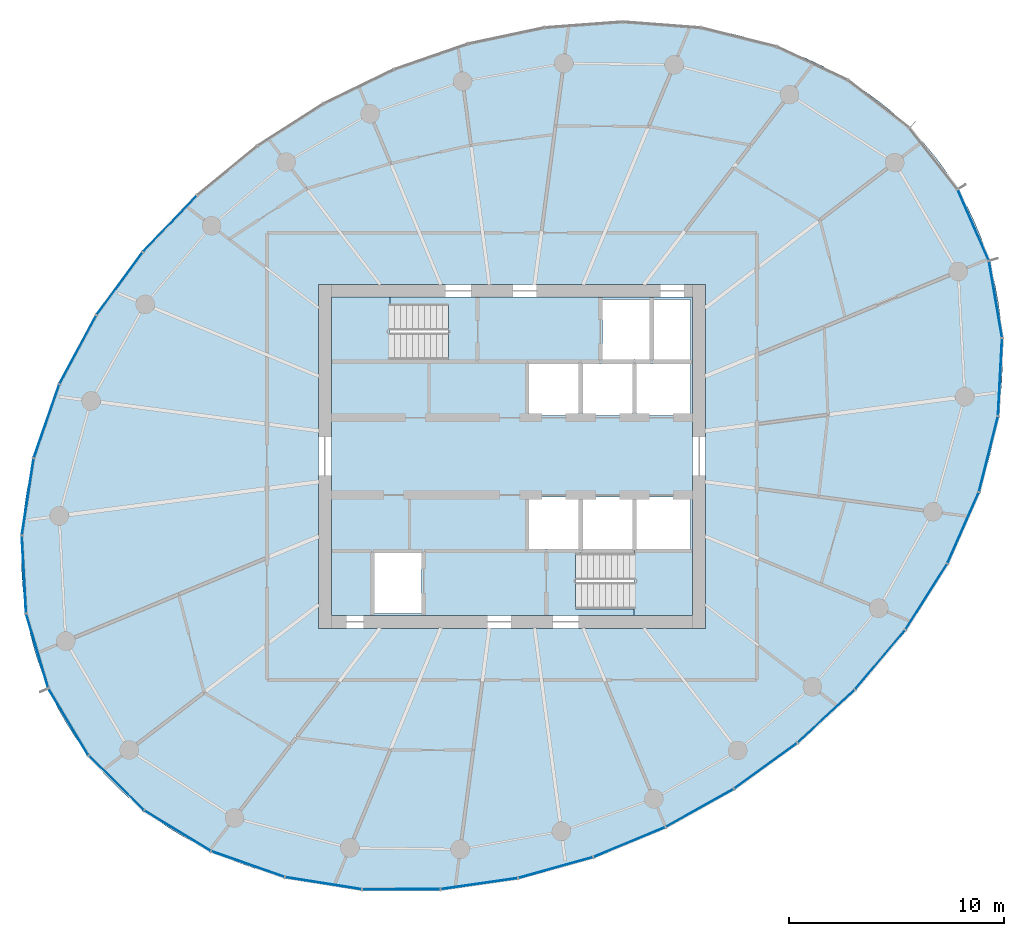
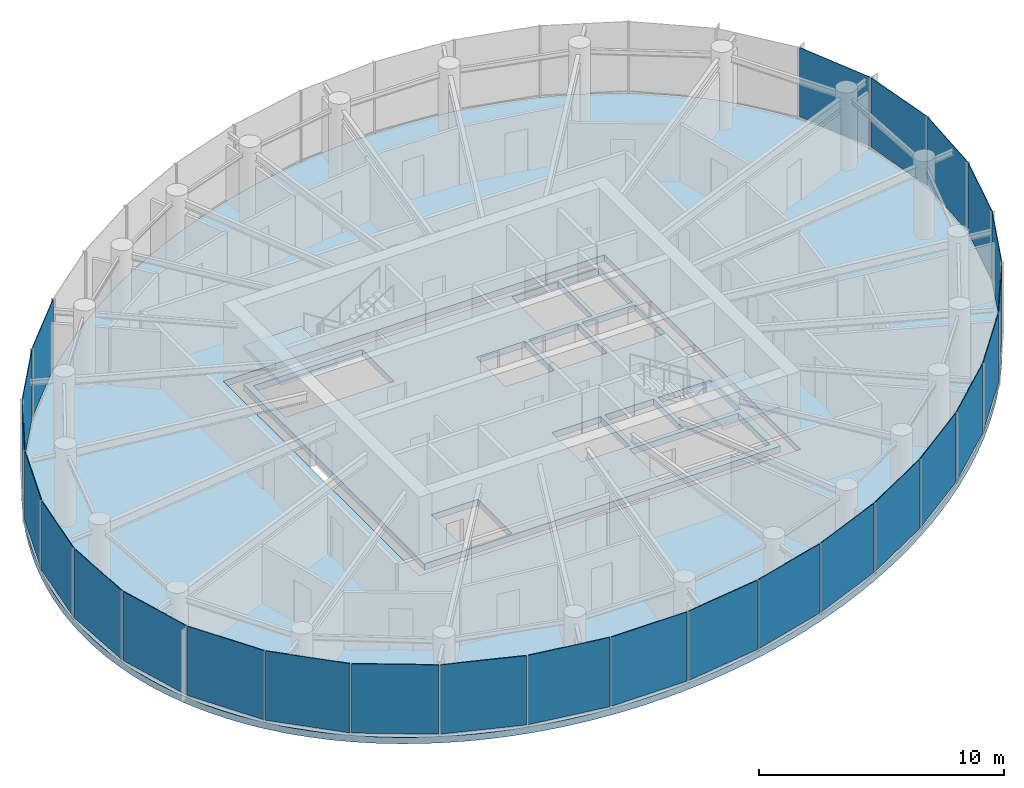
# One storey, part 8 of 14: 26 plates, 4 slabs, 7 elements without a shape of their own.
"""IFC4 building model written with IfcOpenShell, lengths in metres."""

from ifc_helpers import new_model, si_unit, direction, frame, origin, origin_2d, place, context, subcontext, project, spatial, line, indexed_curve, rectangle, outline, extrude, source, transform, mapped, material, layer, layer_set, type_object, element, aggregate, save


model = new_model("IFC4")

# Units and contexts
model_context = context("Model", 3, precision=1e-05, world=origin(), true_north=direction((0.0, 1.0)))
body_context = subcontext(model_context, "Body", "Model", "MODEL_VIEW")
ifc_project = project(units=[si_unit("LENGTHUNIT", "METRE"), si_unit("AREAUNIT", "SQUARE_METRE"), si_unit("VOLUMEUNIT", "CUBIC_METRE"), si_unit("PLANEANGLEUNIT", "RADIAN"), si_unit("MASSUNIT", "GRAM", prefix="KILO")], contexts=[model_context])

# Site, building, storey
site_placement = place(None, origin())
site = spatial("IfcSite", under=ifc_project, at=site_placement, CompositionType="ELEMENT")
building_placement = place(site_placement, origin())
building = spatial("IfcBuilding", under=site, at=building_placement, Name="Spindrift Exchange Tower", CompositionType="ELEMENT")
storey_placement = place(building_placement, frame((0.0, 0.0, 203.300048828125)))
storey = spatial("IfcBuildingStorey", under=building, at=storey_placement, Name="L49", CompositionType="ELEMENT", Elevation=203.300048828125)

# Slabs
ifc_material_1 = material(Name="Concrete 40 MPa", Category="concrete")
ifc_layer_1 = layer(ifc_material_1, 0.320068359375)
ifc_layer_set_1 = layer_set([ifc_layer_1], Name="RC Floor Slab 320 Concrete 40 MPa")
slab_type_1 = type_object("IfcSlabType", Name="RC Floor Slab 320 Concrete 40 MPa", PredefinedType="FLOOR", material=ifc_layer_set_1)
slab_1_placement = place(storey_placement, frame((0.0, 0.0, -0.320068359375)))
element("IfcSlab", 1, at=slab_1_placement, inside=storey, type_object=slab_type_1, Name="Floor slab L49", PredefinedType="FLOOR", context=body_context, shape_type="SweptSolid", body=[
    extrude(outline(indexed_curve([(72.726318359375, 60.415771484375), (72.32470703125, 61.048095703125), (71.890380859375, 61.658447265625), (71.66162109375, 61.955078125), (71.18115234375, 62.52978515625), (70.93017578125, 62.807861328125), (70.406982421875, 63.34423828125), (69.857666015625, 63.853515625), (69.573486328125, 64.097900390625), (68.98828125, 64.565185546875), (68.380859375, 65.00390625), (68.069580078125, 65.21240234375), (67.433349609375, 65.607666015625), (66.779541015625, 65.9736328125), (66.447021484375, 66.145751953125), (65.7705078125, 66.468017578125), (65.081298828125, 66.76171875), (64.732421875, 66.897705078125), (64.0263671875, 67.148193359375), (63.31103515625, 67.37109375), (62.587646484375, 67.566162109375), (62.223388671875, 67.653564453125), (61.857666015625, 67.734375), (61.121826171875, 67.8759765625), (60.752197265625, 67.93701171875), (60.01025390625, 68.0400390625), (59.637939453125, 68.08203125), (58.8916015625, 68.147705078125), (58.517822265625, 68.17138671875), (57.769287109375, 68.20068359375), (57.39453125, 68.20654296875), (56.6455078125, 68.201171875), (56.27099609375, 68.18994140625), (55.522705078125, 68.15087890625), (54.776123046875, 68.08984375), (54.403564453125, 68.051513671875), (54.031494140625, 68.0078125), (53.289306640625, 67.904541015625), (52.91943359375, 67.845458984375), (52.18212890625, 67.712158203125), (51.083740234375, 67.47509765625), (49.995361328125, 67.195556640625), (48.91845703125, 66.8740234375), (47.8544921875, 66.51220703125), (46.8046875, 66.111083984375), (45.7705078125, 65.671875), (44.752685546875, 65.1953125), (43.752685546875, 64.682373046875), (43.0966796875, 64.320556640625), (42.449462890625, 63.943359375), (41.495849609375, 63.3486328125), (40.872314453125, 62.933349609375), (40.2587890625, 62.50341796875), (39.3583984375, 61.830810546875), (38.48291015625, 61.126220703125), (37.634033203125, 60.389892578125), (36.81298828125, 59.62255859375), (36.021484375, 58.82470703125), (35.261474609375, 57.997314453125), (34.5341796875, 57.140380859375), (34.299560546875, 56.848388671875), (33.842041015625, 56.255126953125), (33.401123046875, 55.6494140625), (33.18701171875, 55.342041015625), (32.977294921875, 55.03173828125), (32.5712890625, 54.402099609375), (32.18359375, 53.760986328125), (31.9970703125, 53.43603515625), (31.8154296875, 53.1083984375), (31.46728515625, 52.445068359375), (31.30078125, 52.109375), (30.984375, 51.430419921875), (30.83447265625, 51.087158203125), (30.551513671875, 50.393310546875), (30.2919921875, 49.6904296875), (30.171630859375, 49.335693359375), (29.949462890625, 48.620361328125), (29.847900390625, 48.259765625), (29.753173828125, 47.897216796875), (29.583984375, 47.16748046875), (29.44287109375, 46.431640625), (29.330810546875, 45.69091796875), (29.285888671875, 45.319091796875), (29.219482421875, 44.57275390625), (29.1845703125, 43.824462890625), (29.17919921875, 43.449951171875), (29.193603515625, 42.700927734375), (29.24169921875, 41.953369140625), (29.27880859375, 41.58056640625), (29.37890625, 40.838134765625), (29.514892578125, 40.101318359375), (29.59619140625, 39.735595703125), (29.785888671875, 39.010986328125), (29.89453125, 38.65234375), (30.138671875, 37.944091796875), (30.418701171875, 37.24951171875), (30.734619140625, 36.570068359375), (30.90576171875, 36.23681640625), (31.273681640625, 35.584228515625), (31.67529296875, 34.951904296875), (32.109619140625, 34.341552734375), (32.33837890625, 34.044921875), (32.81884765625, 33.47021484375), (33.06982421875, 33.192138671875), (33.593017578125, 32.65576171875), (34.142333984375, 32.146484375), (34.426513671875, 31.902099609375), (35.01171875, 31.434814453125), (35.619140625, 30.99609375), (35.930419921875, 30.78759765625), (36.566650390625, 30.392333984375), (37.220458984375, 30.0263671875), (37.552978515625, 29.854248046875), (38.2294921875, 29.531982421875), (38.918701171875, 29.23828125), (39.267578125, 29.102294921875), (39.9736328125, 28.851806640625), (40.68896484375, 28.62890625), (41.412353515625, 28.433837890625), (41.776611328125, 28.346435546875), (42.142333984375, 28.265625), (42.878173828125, 28.1240234375), (43.247802734375, 28.06298828125), (43.98974609375, 27.9599609375), (44.362060546875, 27.91796875), (45.1083984375, 27.852294921875), (45.482177734375, 27.82861328125), (46.230712890625, 27.79931640625), (46.60546875, 27.79345703125), (47.3544921875, 27.798828125), (47.72900390625, 27.81005859375), (48.477294921875, 27.84912109375), (49.223876953125, 27.91015625), (49.596435546875, 27.948486328125), (49.968505859375, 27.9921875), (50.710693359375, 28.095458984375), (51.08056640625, 28.154541015625), (51.81787109375, 28.287841796875), (52.916259765625, 28.52490234375), (54.004638671875, 28.804443359375), (55.08154296875, 29.1259765625), (56.1455078125, 29.48779296875), (57.1953125, 29.888916015625), (58.2294921875, 30.328125), (59.247314453125, 30.8046875), (60.247314453125, 31.317626953125), (60.9033203125, 31.679443359375), (61.550537109375, 32.056640625), (62.504150390625, 32.6513671875), (63.127685546875, 33.066650390625), (63.7412109375, 33.49658203125), (64.6416015625, 34.169189453125), (65.51708984375, 34.873779296875), (66.365966796875, 35.610107421875), (67.18701171875, 36.37744140625), (67.978515625, 37.17529296875), (68.738525390625, 38.002685546875), (69.4658203125, 38.859619140625), (69.700439453125, 39.151611328125), (70.157958984375, 39.744873046875), (70.598876953125, 40.3505859375), (70.81298828125, 40.657958984375), (71.022705078125, 40.96826171875), (71.4287109375, 41.597900390625), (71.81640625, 42.239013671875), (72.0029296875, 42.56396484375), (72.1845703125, 42.8916015625), (72.53271484375, 43.554931640625), (72.69921875, 43.890625), (73.015625, 44.569580078125), (73.16552734375, 44.912841796875), (73.448486328125, 45.606689453125), (73.7080078125, 46.3095703125), (73.828369140625, 46.664306640625), (74.050537109375, 47.379638671875), (74.152099609375, 47.740234375), (74.246826171875, 48.102783203125), (74.416015625, 48.83251953125), (74.55712890625, 49.568359375), (74.669189453125, 50.30908203125), (74.714111328125, 50.680908203125), (74.780517578125, 51.42724609375), (74.8154296875, 52.175537109375), (74.82080078125, 52.550048828125), (74.806396484375, 53.299072265625), (74.75830078125, 54.046630859375), (74.72119140625, 54.41943359375), (74.62109375, 55.161865234375), (74.485107421875, 55.898681640625), (74.40380859375, 56.264404296875), (74.214111328125, 56.989013671875), (74.10546875, 57.34765625), (73.861328125, 58.055908203125), (73.581298828125, 58.75048828125), (73.265380859375, 59.429931640625), (73.09423828125, 59.76318359375)], segments=[line(1, 2, 3, 4, 5, 6, 7, 8, 9, 10, 11, 12, 13, 14, 15, 16, 17, 18, 19, 20, 21, 22, 23, 24, 25, 26, 27, 28, 29, 30, 31, 32, 33, 34, 35, 36, 37, 38, 39, 40, 41, 42, 43, 44, 45, 46, 47, 48, 49, 50, 51, 52, 53, 54, 55, 56, 57, 58, 59, 60, 61, 62, 63, 64, 65, 66, 67, 68, 69, 70, 71, 72, 73, 74, 75, 76, 77, 78, 79, 80, 81, 82, 83, 84, 85, 86, 87, 88, 89, 90, 91, 92, 93, 94, 95, 96, 97, 98, 99, 100, 101, 102, 103, 104, 105, 106, 107, 108, 109, 110, 111, 112, 113, 114, 115, 116, 117, 118, 119, 120, 121, 122, 123, 124, 125, 126, 127, 128, 129, 130, 131, 132, 133, 134, 135, 136, 137, 138, 139, 140, 141, 142, 143, 144, 145, 146, 147, 148, 149, 150, 151, 152, 153, 154, 155, 156, 157, 158, 159, 160, 161, 162, 163, 164, 165, 166, 167, 168, 169, 170, 171, 172, 173, 174, 175, 176, 177, 178, 179, 180, 181, 182, 183, 184, 185, 186, 187, 188, 189, 190, 191, 192, 193, 194, 195, 196, 1)], self_intersect=False), holes=[indexed_curve([(43.0, 40.0), (61.0, 40.0), (61.0, 56.0), (43.0, 56.0)], segments=[line(1, 2, 3, 4, 1)], self_intersect=False)]), origin(), (0.0, 0.0, 1.0), 0.320068359375),
])
ifc_material_2 = material(Name="Concrete 50 MPa", Category="concrete")
ifc_layer_2 = layer(ifc_material_2, 0.320068359375)
ifc_layer_set_2 = layer_set([ifc_layer_2], Name="SL-CORE-FLOOR-320")
slab_type_2 = type_object("IfcSlabType", Name="SL-CORE-FLOOR-320", PredefinedType="FLOOR", material=ifc_layer_set_2)
slab_2_placement = place(storey_placement, frame((0.0, 0.0, -0.320068359375)))
element("IfcSlab", 2, at=slab_2_placement, inside=storey, type_object=slab_type_2, Name="L49 Core floor slab", PredefinedType="FLOOR", context=body_context, shape_type="SweptSolid", body=[
    extrude(outline(indexed_curve([(43.60009765625, 40.60009765625), (43.60009765625, 55.39990234375), (60.39990234375, 55.39990234375), (60.39990234375, 40.60009765625)], segments=[line(1, 2, 3, 4, 1)], self_intersect=False), holes=[indexed_curve([(45.60009765625, 43.5), (45.60009765625, 40.699951171875), (47.800048828125, 40.699951171875), (47.800048828125, 43.5)], segments=[line(1, 2, 3, 4, 1)], self_intersect=False), indexed_curve([(52.800048828125, 46.10009765625), (52.800048828125, 43.699951171875), (55.10009765625, 43.699951171875), (55.10009765625, 46.10009765625)], segments=[line(1, 2, 3, 4, 1)], self_intersect=False), indexed_curve([(55.300048828125, 46.10009765625), (55.300048828125, 43.699951171875), (57.60009765625, 43.699951171875), (57.60009765625, 46.10009765625)], segments=[line(1, 2, 3, 4, 1)], self_intersect=False), indexed_curve([(55.10009765625, 52.300048828125), (52.800048828125, 52.300048828125), (52.800048828125, 49.89990234375), (55.10009765625, 49.89990234375)], segments=[line(1, 2, 3, 4, 1)], self_intersect=False), indexed_curve([(57.60009765625, 52.300048828125), (55.300048828125, 52.300048828125), (55.300048828125, 49.89990234375), (57.60009765625, 49.89990234375)], segments=[line(1, 2, 3, 4, 1)], self_intersect=False), indexed_curve([(43.906005859375, 52.506103515625), (49.0439453125, 52.506103515625), (49.0439453125, 55.093994140625), (43.906005859375, 55.093994140625)], segments=[line(1, 2, 3, 4, 1)], self_intersect=False), indexed_curve([(60.093994140625, 40.906005859375), (60.093994140625, 43.493896484375), (54.9560546875, 43.493896484375), (54.9560546875, 40.906005859375)], segments=[line(1, 2, 3, 4, 1)], self_intersect=False), indexed_curve([(60.300048828125, 46.10009765625), (57.800048828125, 46.10009765625), (57.800048828125, 43.699951171875), (60.300048828125, 43.699951171875)], segments=[line(1, 2, 3, 4, 1)], self_intersect=False), indexed_curve([(57.800048828125, 52.300048828125), (57.800048828125, 49.89990234375), (60.300048828125, 49.89990234375), (60.300048828125, 52.300048828125)], segments=[line(1, 2, 3, 4, 1)], self_intersect=False), indexed_curve([(58.39990234375, 55.300048828125), (56.199951171875, 55.300048828125), (56.199951171875, 52.5), (58.39990234375, 52.5)], segments=[line(1, 2, 3, 4, 1)], self_intersect=False), indexed_curve([(60.300048828125, 55.300048828125), (58.60009765625, 55.300048828125), (58.60009765625, 52.5), (60.300048828125, 52.5)], segments=[line(1, 2, 3, 4, 1)], self_intersect=False)]), origin(), (0.0, 0.0, 1.0), 0.320068359375),
])

# Stair, slab
stair_type = type_object("IfcStairType", Name="ST-1250-R177", PredefinedType="HALF_TURN_STAIR", material=ifc_material_2)
stair_1_placement = place(storey_placement, origin())
stair_1 = element("IfcStair", 3, at=stair_1_placement, inside=storey, type_object=stair_type, Name="L49 Exit stair ST1", PredefinedType="HALF_TURN_STAIR")
ifc_layer_3 = layer(ifc_material_2, 0.199951171875)
ifc_layer_set_3 = layer_set([ifc_layer_3], Name="SL-LANDING")
slab_type_3 = type_object("IfcSlabType", Name="SL-LANDING", PredefinedType="LANDING", material=ifc_layer_set_3)
slab_3_placement = place(storey_placement, frame((0.0, 0.0, 1.75)))
slab_3 = element("IfcSlab", 4, at=slab_3_placement, type_object=slab_type_3, Name="ST1 landing 1", PredefinedType="LANDING", context=body_context, shape_type="SweptSolid", body=[
    extrude(outline(indexed_curve([(46.330078125, 52.39990234375), (43.60009765625, 52.39990234375), (43.60009765625, 55.39990234375), (46.330078125, 55.39990234375)], segments=[line(1, 2, 3, 4, 1)], self_intersect=False)), origin(), (0.0, 0.0, 1.0), 0.199951171875),
])
aggregate(stair_1, [slab_3])

stair_2_placement = place(storey_placement, origin())
stair_2 = element("IfcStair", 5, at=stair_2_placement, inside=storey, type_object=stair_type, Name="L49 Exit stair ST2", PredefinedType="HALF_TURN_STAIR")
slab_4_placement = place(storey_placement, frame((0.0, 0.0, 1.75)))
slab_4 = element("IfcSlab", 6, at=slab_4_placement, type_object=slab_type_3, Name="ST2 landing 1", PredefinedType="LANDING", context=body_context, shape_type="SweptSolid", body=[
    extrude(outline(indexed_curve([(57.669921875, 43.60009765625), (60.39990234375, 43.60009765625), (60.39990234375, 40.60009765625), (57.669921875, 40.60009765625)], segments=[line(1, 2, 3, 4, 1)], self_intersect=False)), origin(), (0.0, 0.0, 1.0), 0.199951171875),
])
aggregate(stair_2, [slab_4])

# Curtain wall, plate
ifc_material_3 = material(Name="Fritted laminated glass with bronze frame", Category="glass")
ifc_layer_4 = layer(ifc_material_3, 0.169921875)
ifc_layer_set_4 = layer_set([ifc_layer_4], Name="ZONE 4 BRONZE FRITTED WALL")
curtain_wall_type = type_object("IfcCurtainWallType", Name="ZONE 4 BRONZE FRITTED WALL", PredefinedType="NOTDEFINED", material=ifc_layer_set_4)
curtain_wall_1_placement = place(storey_placement, origin())
curtain_wall_1 = element("IfcCurtainWall", 7, at=curtain_wall_1_placement, inside=storey, type_object=curtain_wall_type, Name="L49 Zone 4 Bronze Fritted Wall run 2", PredefinedType="NOTDEFINED")
ifc_material_4 = material(Name="Bronze fritted laminated glass, open frit", Category="glass")
ifc_layer_5 = layer(ifc_material_4, 0.030029296875)
ifc_layer_set_5 = layer_set([ifc_layer_5], Name="ZONE 4 BRONZE FRITTED WALL PANEL OPEN FRIT 600")
plate_type_1 = type_object("IfcPlateType", Name="ZONE 4 BRONZE FRITTED WALL PANEL OPEN FRIT 600", PredefinedType="CURTAIN_PANEL", material=ifc_layer_set_5)
shared_shape_1 = source(origin(), body_context, "Body", "SweptSolid", [
    extrude(rectangle(XDim=3.577392578125, YDim=0.030029296875, at=origin_2d()), origin(), (0.0, 0.0, 1.0), 3.455078125),
])
plate_1_placement = place(storey_placement, frame((36.090576171875, 58.814697265625, 0.125), z_axis=(0.0, 0.0, 1.0), x_axis=(-0.691369315119, -0.722501536408, 0.0)))
plate_1 = element("IfcPlate", 8, at=plate_1_placement, type_object=plate_type_1, Name="L49 panel CW-4.12", PredefinedType="CURTAIN_PANEL", context=body_context, shape_type="MappedRepresentation", body=[
    mapped(shared_shape_1, transform((0.0, 0.0, 0.0), scale=1.0)),
])
aggregate(curtain_wall_1, [plate_1])

curtain_wall_2_placement = place(storey_placement, origin())
curtain_wall_2 = element("IfcCurtainWall", 9, at=curtain_wall_2_placement, inside=storey, type_object=curtain_wall_type, Name="L49 Zone 4 Bronze Fritted Wall run 6", PredefinedType="NOTDEFINED")
plate_2_placement = place(storey_placement, frame((69.12353515625, 38.538818359375, 0.125), z_axis=(0.0, 0.0, 1.0), x_axis=(0.644197053977, 0.764859565965, 0.0)))
plate_2 = element("IfcPlate", 10, at=plate_2_placement, type_object=plate_type_1, Name="L49 panel CW-4.31", PredefinedType="CURTAIN_PANEL", context=body_context, shape_type="MappedRepresentation", body=[
    mapped(shared_shape_1, transform((0.0, 0.0, 0.0), scale=1.0)),
])

# Curtain wall, plates
curtain_wall_3_placement = place(storey_placement, origin())
curtain_wall_3 = element("IfcCurtainWall", 11, at=curtain_wall_3_placement, inside=storey, type_object=curtain_wall_type, Name="L49 Zone 4 Bronze Fritted Wall run 5", PredefinedType="NOTDEFINED")
ifc_layer_6 = layer(ifc_material_4, 0.030029296875)
ifc_layer_set_6 = layer_set([ifc_layer_6], Name="ZONE 4 BRONZE FRITTED WALL PANEL OPEN FRIT 480")
plate_type_2 = type_object("IfcPlateType", Name="ZONE 4 BRONZE FRITTED WALL PANEL OPEN FRIT 480", PredefinedType="CURTAIN_PANEL", material=ifc_layer_set_6)
shared_shape_2 = source(origin(), body_context, "Body", "SweptSolid", [
    extrude(rectangle(XDim=3.577880859375, YDim=0.030029296875, at=origin_2d()), origin(), (0.0, 0.0, 1.0), 3.455078125),
])
plate_3_placement = place(storey_placement, frame((60.736083984375, 31.64599609375, 0.125), z_axis=(0.0, 0.0, 1.0), x_axis=(0.872428627189, 0.488741537483, 0.0)))
plate_3 = element("IfcPlate", 12, at=plate_3_placement, type_object=plate_type_2, Name="L49 panel CW-4.28", PredefinedType="CURTAIN_PANEL", context=body_context, shape_type="MappedRepresentation", body=[
    mapped(shared_shape_2, transform((0.0, 0.0, 0.0), scale=1.0)),
])
ifc_layer_7 = layer(ifc_material_4, 0.030029296875)
ifc_layer_set_7 = layer_set([ifc_layer_7], Name="ZONE 4 BRONZE FRITTED WALL PANEL OPEN FRIT 360")
plate_type_3 = type_object("IfcPlateType", Name="ZONE 4 BRONZE FRITTED WALL PANEL OPEN FRIT 360", PredefinedType="CURTAIN_PANEL", material=ifc_layer_set_7)
shared_shape_3 = source(origin(), body_context, "Body", "SweptSolid", [
    extrude(rectangle(XDim=3.5771484375, YDim=0.030029296875, at=origin_2d()), origin(), (0.0, 0.0, 1.0), 3.455078125),
])
plate_4_placement = place(storey_placement, frame((50.4716796875, 28.121826171875, 0.125), z_axis=(0.0, 0.0, 1.0), x_axis=(0.989834895474, 0.142221235061, 0.0)))
plate_4 = element("IfcPlate", 13, at=plate_4_placement, type_object=plate_type_3, Name="L49 panel CW-4.25", PredefinedType="CURTAIN_PANEL", context=body_context, shape_type="MappedRepresentation", body=[
    mapped(shared_shape_3, transform((0.0, 0.0, 0.0), scale=1.0)),
])

# Curtain wall, plate
curtain_wall_4_placement = place(storey_placement, origin())
curtain_wall_4 = element("IfcCurtainWall", 14, at=curtain_wall_4_placement, inside=storey, type_object=curtain_wall_type, Name="L49 Zone 4 Bronze Fritted Wall run 3", PredefinedType="NOTDEFINED")
shared_shape_4 = source(origin(), body_context, "Body", "SweptSolid", [
    extrude(rectangle(XDim=3.57568359375, YDim=0.030029296875, at=origin_2d()), origin(), (0.0, 0.0, 1.0), 3.455078125),
])
plate_5_placement = place(storey_placement, frame((30.354736328125, 49.63671875, 0.125), z_axis=(0.0, 0.0, 1.0), x_axis=(-0.327806616594, -0.94474484498, 0.0)))
plate_5 = element("IfcPlate", 15, at=plate_5_placement, type_object=plate_type_2, Name="L49 panel CW-4.15", PredefinedType="CURTAIN_PANEL", context=body_context, shape_type="MappedRepresentation", body=[
    mapped(shared_shape_4, transform((0.0, 0.0, 0.0), scale=1.0)),
])

# Curtain wall, plates
curtain_wall_5_placement = place(storey_placement, origin())
curtain_wall_5 = element("IfcCurtainWall", 16, at=curtain_wall_5_placement, inside=storey, type_object=curtain_wall_type, Name="L49 Zone 4 Bronze Fritted Wall run 4", PredefinedType="NOTDEFINED")
shared_shape_5 = source(origin(), body_context, "Body", "SweptSolid", [
    extrude(rectangle(XDim=3.572509765625, YDim=0.030029296875, at=origin_2d()), origin(), (0.0, 0.0, 1.0), 3.455078125),
])
plate_6_placement = place(storey_placement, frame((36.4453125, 30.582275390625, 0.125), z_axis=(0.0, 0.0, 1.0), x_axis=(0.854465177192, -0.519508672657, 0.0)))
plate_6 = element("IfcPlate", 17, at=plate_6_placement, type_object=plate_type_1, Name="L49 panel CW-4.21", PredefinedType="CURTAIN_PANEL", context=body_context, shape_type="MappedRepresentation", body=[
    mapped(shared_shape_5, transform((0.0, 0.0, 0.0), scale=1.0)),
])
shared_shape_6 = source(origin(), body_context, "Body", "SweptSolid", [
    extrude(rectangle(XDim=3.57080078125, YDim=0.030029296875, at=origin_2d()), origin(), (0.0, 0.0, 1.0), 3.455078125),
])
plate_7_placement = place(storey_placement, frame((33.59912109375, 32.805908203125, 0.125), z_axis=(0.0, 0.0, 1.0), x_axis=(0.710797018558, -0.703397183964, 0.0)))
plate_7 = element("IfcPlate", 18, at=plate_7_placement, type_object=plate_type_1, Name="L49 panel CW-4.20", PredefinedType="CURTAIN_PANEL", context=body_context, shape_type="MappedRepresentation", body=[
    mapped(shared_shape_6, transform((0.0, 0.0, 0.0), scale=1.0)),
])
shared_shape_7 = source(origin(), body_context, "Body", "SweptSolid", [
    extrude(rectangle(XDim=3.570068359375, YDim=0.030029296875, at=origin_2d()), origin(), (0.0, 0.0, 1.0), 3.455078125),
])
plate_8_placement = place(storey_placement, frame((31.373046875, 35.643798828125, 0.125), z_axis=(0.0, 0.0, 1.0), x_axis=(0.513881168257, -0.85786137861, 0.0)))
plate_8 = element("IfcPlate", 19, at=plate_8_placement, type_object=plate_type_1, Name="L49 panel CW-4.19", PredefinedType="CURTAIN_PANEL", context=body_context, shape_type="MappedRepresentation", body=[
    mapped(shared_shape_7, transform((0.0, 0.0, 0.0), scale=1.0)),
])
shared_shape_8 = source(origin(), body_context, "Body", "SweptSolid", [
    extrude(rectangle(XDim=3.575439453125, YDim=0.030029296875, at=origin_2d()), origin(), (0.0, 0.0, 1.0), 3.455078125),
])
plate_9_placement = place(storey_placement, frame((43.229736328125, 28.1435546875, 0.125), z_axis=(0.0, 0.0, 1.0), x_axis=(0.987640514337, -0.156736129975, 0.0)))
plate_9 = element("IfcPlate", 20, at=plate_9_placement, type_object=plate_type_3, Name="L49 panel CW-4.23", PredefinedType="CURTAIN_PANEL", context=body_context, shape_type="MappedRepresentation", body=[
    mapped(shared_shape_8, transform((0.0, 0.0, 0.0), scale=1.0)),
])

# Plate
shared_shape_9 = source(origin(), body_context, "Body", "SweptSolid", [
    extrude(rectangle(XDim=3.5771484375, YDim=0.030029296875, at=origin_2d()), origin(), (0.0, 0.0, 1.0), 3.455078125),
])
plate_10_placement = place(storey_placement, frame((33.752685546875, 56.031982421875, 0.125), z_axis=(0.0, 0.0, 1.0), x_axis=(-0.592443517071, -0.805611990402, 0.0)))
plate_10 = element("IfcPlate", 21, at=plate_10_placement, type_object=plate_type_2, Name="L49 panel CW-4.13", PredefinedType="CURTAIN_PANEL", context=body_context, shape_type="MappedRepresentation", body=[
    mapped(shared_shape_9, transform((0.0, 0.0, 0.0), scale=1.0)),
])

shared_shape_10 = source(origin(), body_context, "Body", "SweptSolid", [
    extrude(rectangle(XDim=3.577880859375, YDim=0.030029296875, at=origin_2d()), origin(), (0.0, 0.0, 1.0), 3.455078125),
])
plate_11_placement = place(storey_placement, frame((63.80029296875, 33.60498046875, 0.125), z_axis=(0.0, 0.0, 1.0), x_axis=(0.809754988139, 0.586768147725, 0.0)))
plate_11 = element("IfcPlate", 22, at=plate_11_placement, type_object=plate_type_1, Name="L49 panel CW-4.29", PredefinedType="CURTAIN_PANEL", context=body_context, shape_type="MappedRepresentation", body=[
    mapped(shared_shape_10, transform((0.0, 0.0, 0.0), scale=1.0)),
])

shared_shape_11 = source(origin(), body_context, "Body", "SweptSolid", [
    extrude(rectangle(XDim=3.5732421875, YDim=0.030029296875, at=origin_2d()), origin(), (0.0, 0.0, 1.0), 3.455078125),
])
plate_12_placement = place(storey_placement, frame((74.701416015625, 51.684814453125, 0.125), z_axis=(0.0, 0.0, 1.0), x_axis=(0.052414388262, 0.998625421218, 0.0)))
plate_12 = element("IfcPlate", 23, at=plate_12_placement, type_object=plate_type_2, Name="L49 panel CW-4.35", PredefinedType="CURTAIN_PANEL", context=body_context, shape_type="MappedRepresentation", body=[
    mapped(shared_shape_11, transform((0.0, 0.0, 0.0), scale=1.0)),
])

shared_shape_12 = source(origin(), body_context, "Body", "SweptSolid", [
    extrude(rectangle(XDim=3.576171875, YDim=0.030029296875, at=origin_2d()), origin(), (0.0, 0.0, 1.0), 3.455078125),
])
plate_13_placement = place(storey_placement, frame((72.982666015625, 44.6728515625, 0.125), z_axis=(0.0, 0.0, 1.0), x_axis=(0.403912552179, 0.91479760067, 0.0)))
plate_13 = element("IfcPlate", 24, at=plate_13_placement, type_object=plate_type_1, Name="L49 panel CW-4.33", PredefinedType="CURTAIN_PANEL", context=body_context, shape_type="MappedRepresentation", body=[
    mapped(shared_shape_12, transform((0.0, 0.0, 0.0), scale=1.0)),
])

shared_shape_13 = source(origin(), body_context, "Body", "SweptSolid", [
    extrude(rectangle(XDim=3.57763671875, YDim=0.030029296875, at=origin_2d()), origin(), (0.0, 0.0, 1.0), 3.455078125),
])
plate_14_placement = place(storey_placement, frame((57.465087890625, 30.0576171875, 0.125), z_axis=(0.0, 0.0, 1.0), x_axis=(0.923605453472, 0.383344448659, 0.0)))
plate_14 = element("IfcPlate", 25, at=plate_14_placement, type_object=plate_type_1, Name="L49 panel CW-4.27", PredefinedType="CURTAIN_PANEL", context=body_context, shape_type="MappedRepresentation", body=[
    mapped(shared_shape_13, transform((0.0, 0.0, 0.0), scale=1.0)),
])

plate_15_placement = place(storey_placement, frame((66.61279296875, 35.909912109375, 0.125), z_axis=(0.0, 0.0, 1.0), x_axis=(0.734435048767, 0.67867898092, 0.0)))
plate_15 = element("IfcPlate", 26, at=plate_15_placement, type_object=plate_type_1, Name="L49 panel CW-4.30", PredefinedType="CURTAIN_PANEL", context=body_context, shape_type="MappedRepresentation", body=[
    mapped(shared_shape_13, transform((0.0, 0.0, 0.0), scale=1.0)),
])

shared_shape_14 = source(origin(), body_context, "Body", "SweptSolid", [
    extrude(rectangle(XDim=3.577392578125, YDim=0.030029296875, at=origin_2d()), origin(), (0.0, 0.0, 1.0), 3.455078125),
])
plate_16_placement = place(storey_placement, frame((54.028564453125, 28.8701171875, 0.125), z_axis=(0.0, 0.0, 1.0), x_axis=(0.963234812465, 0.268660931391, 0.0)))
plate_16 = element("IfcPlate", 27, at=plate_16_placement, type_object=plate_type_3, Name="L49 panel CW-4.26", PredefinedType="CURTAIN_PANEL", context=body_context, shape_type="MappedRepresentation", body=[
    mapped(shared_shape_14, transform((0.0, 0.0, 0.0), scale=1.0)),
])

aggregate(curtain_wall_3, [plate_4, plate_16, plate_14, plate_3, plate_11, plate_15])

shared_shape_15 = source(origin(), body_context, "Body", "SweptSolid", [
    extrude(rectangle(XDim=3.576416015625, YDim=0.030029296875, at=origin_2d()), origin(), (0.0, 0.0, 1.0), 3.455078125),
])
plate_17_placement = place(storey_placement, frame((31.8125, 52.96044921875, 0.125), z_axis=(0.0, 0.0, 1.0), x_axis=(-0.472938336654, -0.881095528149, 0.0)))
plate_17 = element("IfcPlate", 28, at=plate_17_placement, type_object=plate_type_1, Name="L49 panel CW-4.14", PredefinedType="CURTAIN_PANEL", context=body_context, shape_type="MappedRepresentation", body=[
    mapped(shared_shape_15, transform((0.0, 0.0, 0.0), scale=1.0)),
])

shared_shape_16 = source(origin(), body_context, "Body", "SweptSolid", [
    extrude(rectangle(XDim=3.57421875, YDim=0.030029296875, at=origin_2d()), origin(), (0.0, 0.0, 1.0), 3.455078125),
])
plate_18_placement = place(storey_placement, frame((39.7158203125, 29.033203125, 0.125), z_axis=(0.0, 0.0, 1.0), x_axis=(0.943240628214, -0.332110098141, 0.0)))
plate_18 = element("IfcPlate", 29, at=plate_18_placement, type_object=plate_type_3, Name="L49 panel CW-4.22", PredefinedType="CURTAIN_PANEL", context=body_context, shape_type="MappedRepresentation", body=[
    mapped(shared_shape_16, transform((0.0, 0.0, 0.0), scale=1.0)),
])

shared_shape_17 = source(origin(), body_context, "Body", "SweptSolid", [
    extrude(rectangle(XDim=3.572509765625, YDim=0.030029296875, at=origin_2d()), origin(), (0.0, 0.0, 1.0), 3.455078125),
])
plate_19_placement = place(storey_placement, frame((29.3037109375, 42.504150390625, 0.125), z_axis=(0.0, 0.0, 1.0), x_axis=(0.054873501292, -0.998493314377, 0.0)))
plate_19 = element("IfcPlate", 30, at=plate_19_placement, type_object=plate_type_3, Name="L49 panel CW-4.17", PredefinedType="CURTAIN_PANEL", context=body_context, shape_type="MappedRepresentation", body=[
    mapped(shared_shape_17, transform((0.0, 0.0, 0.0), scale=1.0)),
])

shared_shape_18 = source(origin(), body_context, "Body", "SweptSolid", [
    extrude(rectangle(XDim=3.57080078125, YDim=0.030029296875, at=origin_2d()), origin(), (0.0, 0.0, 1.0), 3.455078125),
])
plate_20_placement = place(storey_placement, frame((29.92138671875, 38.945556640625, 0.125), z_axis=(0.0, 0.0, 1.0), x_axis=(0.284783369849, -0.958591900788, 0.0)))
plate_20 = element("IfcPlate", 31, at=plate_20_placement, type_object=plate_type_3, Name="L49 panel CW-4.18", PredefinedType="CURTAIN_PANEL", context=body_context, shape_type="MappedRepresentation", body=[
    mapped(shared_shape_18, transform((0.0, 0.0, 0.0), scale=1.0)),
])

shared_shape_19 = source(origin(), body_context, "Body", "SweptSolid", [
    extrude(rectangle(XDim=3.57421875, YDim=0.030029296875, at=origin_2d()), origin(), (0.0, 0.0, 1.0), 3.455078125),
])
plate_21_placement = place(storey_placement, frame((29.48095703125, 46.118408203125, 0.125), z_axis=(0.0, 0.0, 1.0), x_axis=(-0.152261386007, -0.988340260402, 0.0)))
plate_21 = element("IfcPlate", 32, at=plate_21_placement, type_object=plate_type_2, Name="L49 panel CW-4.16", PredefinedType="CURTAIN_PANEL", context=body_context, shape_type="MappedRepresentation", body=[
    mapped(shared_shape_19, transform((0.0, 0.0, 0.0), scale=1.0)),
])

aggregate(curtain_wall_4, [plate_10, plate_17, plate_5, plate_21, plate_19, plate_20])

shared_shape_20 = source(origin(), body_context, "Body", "SweptSolid", [
    extrude(rectangle(XDim=3.571533203125, YDim=0.030029296875, at=origin_2d()), origin(), (0.0, 0.0, 1.0), 3.455078125),
])
plate_22_placement = place(storey_placement, frame((74.4912109375, 55.293701171875, 0.125), z_axis=(0.0, 0.0, 1.0), x_axis=(-0.16812636858, 0.9857654509, 0.0)))
plate_22 = element("IfcPlate", 33, at=plate_22_placement, type_object=plate_type_3, Name="L49 panel CW-4.36", PredefinedType="CURTAIN_PANEL", context=body_context, shape_type="MappedRepresentation", body=[
    mapped(shared_shape_20, transform((0.0, 0.0, 0.0), scale=1.0)),
])

shared_shape_21 = source(origin(), body_context, "Body", "SweptSolid", [
    extrude(rectangle(XDim=3.5703125, YDim=0.030029296875, at=origin_2d()), origin(), (0.0, 0.0, 1.0), 3.455078125),
])
plate_23_placement = place(storey_placement, frame((73.455810546875, 58.7509765625, 0.125), z_axis=(0.0, 0.0, 1.0), x_axis=(-0.401405939344, 0.915900252134, 0.0)))
plate_23 = element("IfcPlate", 34, at=plate_23_placement, type_object=plate_type_3, Name="L49 panel CW-4.37", PredefinedType="CURTAIN_PANEL", context=body_context, shape_type="MappedRepresentation", body=[
    mapped(shared_shape_21, transform((0.0, 0.0, 0.0), scale=1.0)),
])

shared_shape_22 = source(origin(), body_context, "Body", "SweptSolid", [
    extrude(rectangle(XDim=3.576904296875, YDim=0.030029296875, at=origin_2d()), origin(), (0.0, 0.0, 1.0), 3.455078125),
])
plate_24_placement = place(storey_placement, frame((71.27197265625, 41.469482421875, 0.125), z_axis=(0.0, 0.0, 1.0), x_axis=(0.535558567249, 0.844498088243, 0.0)))
plate_24 = element("IfcPlate", 35, at=plate_24_placement, type_object=plate_type_3, Name="L49 panel CW-4.32", PredefinedType="CURTAIN_PANEL", context=body_context, shape_type="MappedRepresentation", body=[
    mapped(shared_shape_22, transform((0.0, 0.0, 0.0), scale=1.0)),
])

shared_shape_23 = source(origin(), body_context, "Body", "SweptSolid", [
    extrude(rectangle(XDim=3.576416015625, YDim=0.030029296875, at=origin_2d()), origin(), (0.0, 0.0, 1.0), 3.455078125),
])
plate_25_placement = place(storey_placement, frame((46.848388671875, 27.860595703125, 0.125), z_axis=(0.0, 0.0, 1.0), x_axis=(0.999999236531, 0.001235692796, 0.0)))
plate_25 = element("IfcPlate", 36, at=plate_25_placement, type_object=plate_type_2, Name="L49 panel CW-4.24", PredefinedType="CURTAIN_PANEL", context=body_context, shape_type="MappedRepresentation", body=[
    mapped(shared_shape_23, transform((0.0, 0.0, 0.0), scale=1.0)),
])

aggregate(curtain_wall_5, [plate_8, plate_7, plate_6, plate_18, plate_9, plate_25])

shared_shape_24 = source(origin(), body_context, "Body", "SweptSolid", [
    extrude(rectangle(XDim=3.574951171875, YDim=0.030029296875, at=origin_2d()), origin(), (0.0, 0.0, 1.0), 3.455078125),
])
plate_26_placement = place(storey_placement, frame((74.162109375, 48.10302734375, 0.125), z_axis=(0.0, 0.0, 1.0), x_axis=(0.244041560201, 0.969764774002, 0.0)))
plate_26 = element("IfcPlate", 37, at=plate_26_placement, type_object=plate_type_1, Name="L49 panel CW-4.34", PredefinedType="CURTAIN_PANEL", context=body_context, shape_type="MappedRepresentation", body=[
    mapped(shared_shape_24, transform((0.0, 0.0, 0.0), scale=1.0)),
])

aggregate(curtain_wall_2, [plate_2, plate_24, plate_13, plate_26, plate_12, plate_22, plate_23])

save(model, "model.ifc")
